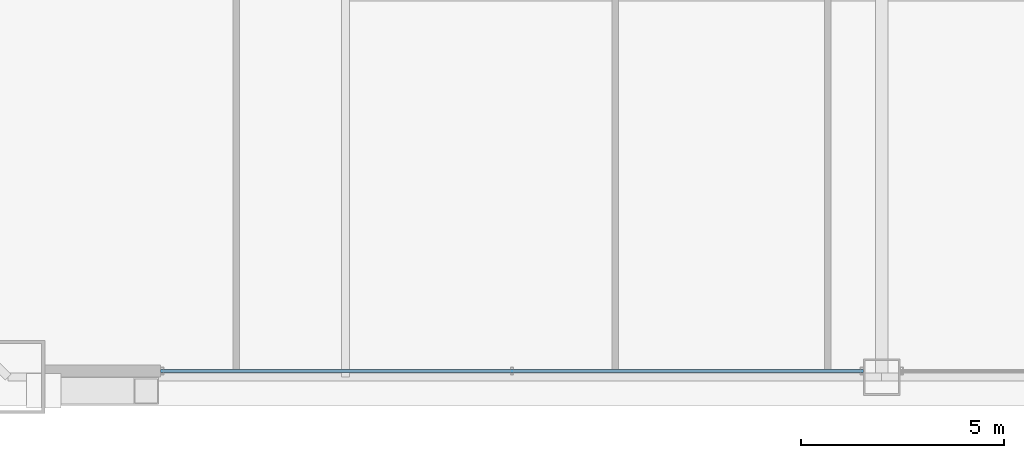
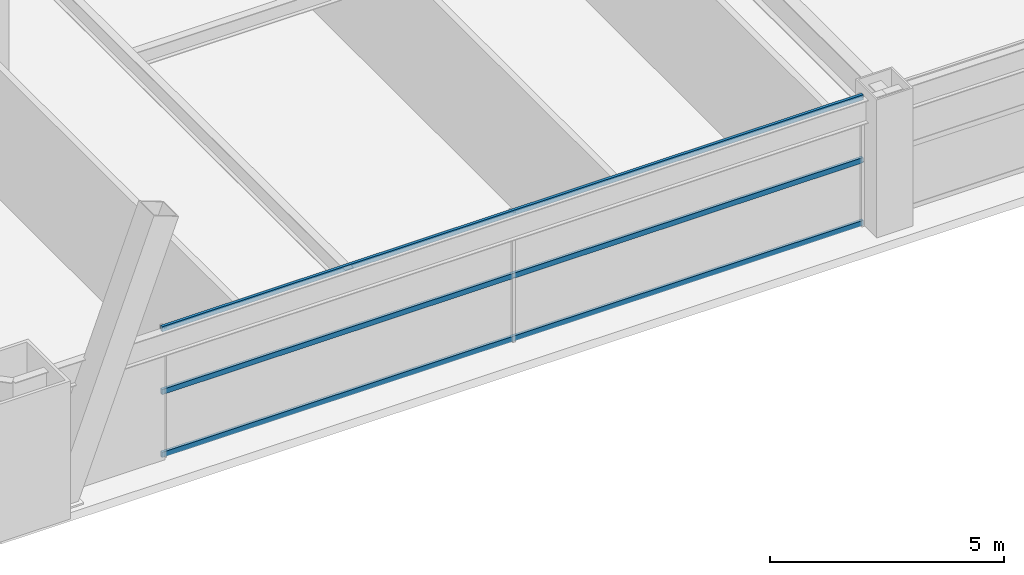
# One storey, part 6 of 43: 3 members, 1 element without a shape of its own.
"""IFC4 building model written with IfcOpenShell, lengths in metres."""

from ifc_helpers import new_model, si_unit, direction, frame, origin, origin_2d, place, context, subcontext, project, spatial, hollow_rectangle, extrude, source, transform, mapped, material, layer, layer_set, material_profile, profile_set, type_object, element, aggregate, save


model = new_model("IFC4")

# Units and contexts
model_context = context("Model", 3, precision=1e-05, world=origin(), true_north=direction((0.0, 1.0)))
body_context = subcontext(model_context, "Body", "Model", "MODEL_VIEW")
ifc_project = project(units=[si_unit("LENGTHUNIT", "METRE"), si_unit("AREAUNIT", "SQUARE_METRE"), si_unit("VOLUMEUNIT", "CUBIC_METRE"), si_unit("PLANEANGLEUNIT", "RADIAN"), si_unit("MASSUNIT", "GRAM", prefix="KILO"), si_unit("THERMODYNAMICTEMPERATUREUNIT", "KELVIN"), si_unit("POWERUNIT", "WATT")], contexts=[model_context])

# Site, building, storey
site_placement = place(None, origin())
site = spatial("IfcSite", under=ifc_project, at=site_placement, CompositionType="ELEMENT")
building_placement = place(site_placement, origin())
building = spatial("IfcBuilding", under=site, at=building_placement, Name="Yuzanri Waterfront Tower", CompositionType="ELEMENT")
storey_placement = place(building_placement, frame((0.0, 0.0, 60.39990234375)))
storey = spatial("IfcBuildingStorey", under=building, at=storey_placement, Name="L15", CompositionType="ELEMENT", Elevation=60.39990234375)

# Curtain wall, members
ifc_material_1 = material(Name="Anodized Architectural Bronze", Category="metal")
ifc_layer = layer(ifc_material_1, 0.159912109375)
ifc_layer_set = layer_set([ifc_layer], Name="Anodized Architectural Bronze")
curtain_wall_type = type_object("IfcCurtainWallType", Name="Anodized Bronze Hotel Lower-Tier Recessed Unitized Curtain Wall 8100", PredefinedType="NOTDEFINED", material=ifc_layer_set)
curtain_wall_placement = place(storey_placement, origin())
curtain_wall = element("IfcCurtainWall", 1, at=curtain_wall_placement, inside=storey, type_object=curtain_wall_type, Name="L15 Curtain Wall CW-L15-SL", PredefinedType="NOTDEFINED")
ifc_material_2 = material(Name="Anodized Architectural Bronze", Category="metal")
ifc_material_profile = material_profile(ifc_material_2, hollow_rectangle(XDim=0.070068359375, YDim=0.135009765625, WallThickness=0.00341796875, at=origin_2d()), Name="CWT 70x135")
ifc_profile_set = profile_set([ifc_material_profile], Name="Anodized Architectural Bronze")
member_type = type_object("IfcMemberType", Name="Anodized Bronze Standard Curtain-Wall Transom 70x135", PredefinedType="USERDEFINED", material=ifc_profile_set)
shared_shape = source(origin(), body_context, "Body", "SweptSolid", [
    extrude(hollow_rectangle(XDim=0.070068359375, YDim=0.135009765625, WallThickness=0.00341796875, at=origin_2d()), origin(), (0.0, 0.0, 1.0), 17.300048828125),
])
member_1_placement = place(storey_placement, frame((19.25, 0.85009765625, 0.050048828125), z_axis=(1.0, 0.0, 0.0), x_axis=(0.0, 1.0, 0.0)))
member_1 = element("IfcMember", 2, at=member_1_placement, type_object=member_type, Name="CW-L15-SL Transom 1", ObjectType="TRANSOM", PredefinedType="USERDEFINED", context=body_context, shape_type="MappedRepresentation", body=[
    mapped(shared_shape, transform((0.0, 0.0, 0.0), scale=1.0)),
])
member_2_placement = place(storey_placement, frame((19.25, 0.85009765625, 1.690185546875), z_axis=(1.0, 0.0, 0.0), x_axis=(0.0, 1.0, 0.0)))
member_2 = element("IfcMember", 3, at=member_2_placement, type_object=member_type, Name="CW-L15-SL Transom 2", ObjectType="TRANSOM", PredefinedType="USERDEFINED", context=body_context, shape_type="MappedRepresentation", body=[
    mapped(shared_shape, transform((0.0, 0.0, 0.0), scale=1.0)),
])
member_3_placement = place(storey_placement, frame((19.25, 0.85009765625, 3.330078125), z_axis=(1.0, 0.0, 0.0), x_axis=(0.0, 1.0, 0.0)))
member_3 = element("IfcMember", 4, at=member_3_placement, type_object=member_type, Name="CW-L15-SL Transom 3", ObjectType="TRANSOM", PredefinedType="USERDEFINED", context=body_context, shape_type="MappedRepresentation", body=[
    mapped(shared_shape, transform((0.0, 0.0, 0.0), scale=1.0)),
])
aggregate(curtain_wall, [member_1, member_2, member_3])

save(model, "model.ifc")
